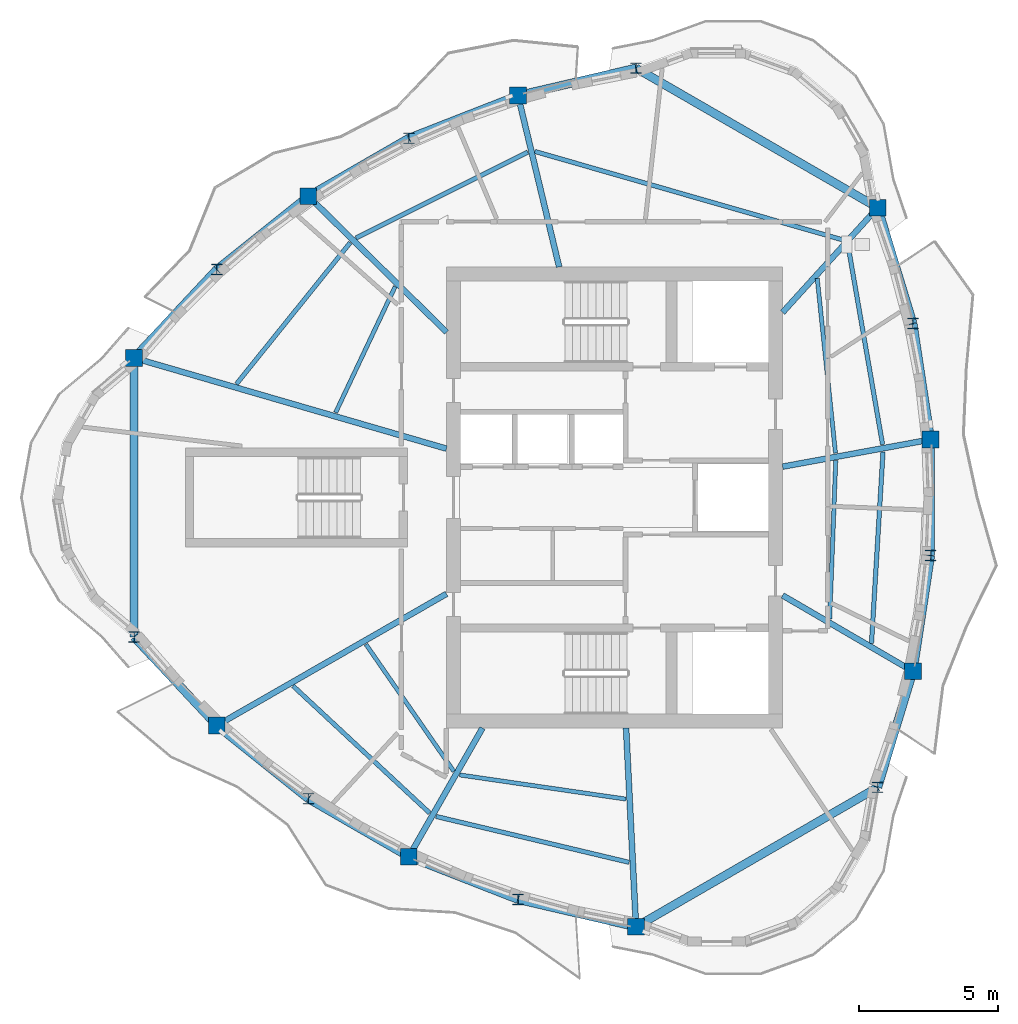
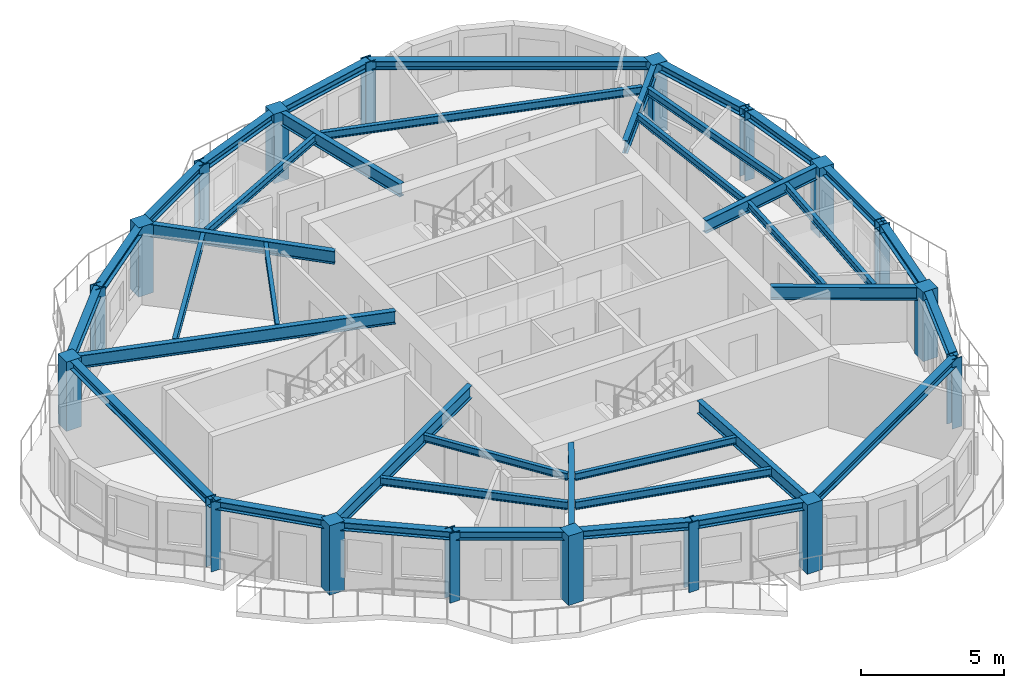
# One storey, part 1 of 12: 39 beams, 18 columns.
"""IFC4 building model written with IfcOpenShell, lengths in metres."""

from ifc_helpers import new_model, si_unit, direction, frame, origin, origin_2d, place, context, subcontext, project, spatial, rectangle, i_section, extrude, source, transform, mapped, material, material_profile, profile_set, type_object, element, save


model = new_model("IFC4")

# Units and contexts
model_context = context("Model", 3, precision=1e-05, world=origin(), true_north=direction((0.0, 1.0)))
body_context = subcontext(model_context, "Body", "Model", "MODEL_VIEW")
ifc_project = project(units=[si_unit("LENGTHUNIT", "METRE"), si_unit("AREAUNIT", "SQUARE_METRE"), si_unit("VOLUMEUNIT", "CUBIC_METRE"), si_unit("PLANEANGLEUNIT", "RADIAN"), si_unit("MASSUNIT", "GRAM", prefix="KILO")], contexts=[model_context])

# Site, building, storey
site_placement = place(None, origin())
site = spatial("IfcSite", under=ifc_project, at=site_placement, CompositionType="ELEMENT")
building_placement = place(site_placement, origin())
building = spatial("IfcBuilding", under=site, at=building_placement, Name="Qafzar Sky-Pleat Residences", CompositionType="ELEMENT")
storey_placement = place(building_placement, frame((0.0, 0.0, 224.39990234375)))
storey = spatial("IfcBuildingStorey", under=building, at=storey_placement, Name="L67", CompositionType="ELEMENT", Elevation=224.39990234375)

# Columns
ifc_material_1 = material(Name="Concrete C50/60", Category="concrete")
ifc_material_profile_1 = material_profile(ifc_material_1, rectangle(XDim=0.60009765625, YDim=0.60009765625, at=origin_2d()), Name="RC 600x600")
ifc_profile_set_1 = profile_set([ifc_material_profile_1], Name="Concrete C50/60")
column_type_1 = type_object("IfcColumnType", Name="COL-RC-600", PredefinedType="COLUMN", material=ifc_profile_set_1)
shared_shape_1 = source(origin(), body_context, "Body", "SweptSolid", [
    extrude(rectangle(XDim=0.60009765625, YDim=0.60009765625, at=origin_2d()), origin(), (0.0, 0.0, 1.0), 2.960205078125),
])
for number, where, z_axis, x_axis, name in (
    (1, (13.054931640625, 31.02294921875, 0.0), (0.0, 0.0, 1.0), (1.0, 0.0, 0.0), "L67 Perimeter Mega Column 1"),
    (2, (16.0341796875, 17.792236328125, 0.0), (0.0, 0.0, 1.0), (1.0, 0.0, 0.0), "L67 Perimeter Mega Column 3"),
    (3, (22.944091796875, 13.070556640625, 0.0), (0.0, 0.0, 1.0), (1.0, 0.0, 0.0), "L67 Perimeter Mega Column 5"),
    (4, (31.12255859375, 10.5458984375, 0.0), (0.0, 0.0, 1.0), (1.0, 0.0, 0.0), "L67 Perimeter Mega Column 7"),
    (5, (41.0908203125, 19.7412109375, 0.0), (0.0, 0.0, 1.0), (1.0, 0.0, 0.0), "L67 Perimeter Mega Column 9"),
    (6, (41.72509765625, 28.086181640625, 0.0), (0.0, 0.0, 1.0), (1.0, 0.0, 0.0), "L67 Perimeter Mega Column 11"),
    (7, (39.822509765625, 36.431396484375, 0.0), (0.0, 0.0, 1.0), (1.0, 0.0, 0.0), "L67 Perimeter Mega Column 13"),
    (8, (26.874755859375, 40.466552734375, 0.0), (0.0, 0.0, 1.0), (1.0, 0.0, 0.0), "L67 Perimeter Mega Column 15"),
    (9, (19.330810546875, 36.84326171875, 0.0), (0.0, 0.0, 1.0), (1.0, 0.0, 0.0), "L67 Perimeter Mega Column 17"),
):
    element("IfcColumn", number, at=place(storey_placement, frame(where, z_axis=z_axis, x_axis=x_axis)), inside=storey, type_object=column_type_1, Name=name, PredefinedType="COLUMN", context=body_context, shape_type="MappedRepresentation", body=[
        mapped(shared_shape_1, transform((0.0, 0.0, 0.0), x_axis=(1.0, 0.0, 0.0), y_axis=(0.0, 1.0, 0.0), z_axis=(0.0, 0.0, 1.0), scale=1.0)),
    ])
ifc_material_2 = material(Name="Steel S355", Category="steel")
ifc_material_profile_2 = material_profile(ifc_material_2, i_section(OverallWidth=0.39794921875, OverallDepth=0.386962890625, WebThickness=0.01904296875, FlangeThickness=0.030029296875, FilletRadius=0.014892578125, at=origin_2d()), Name="HD 400x262")
ifc_profile_set_2 = profile_set([ifc_material_profile_2], Name="Steel S355")
column_type_2 = type_object("IfcColumnType", Name="COL-STL-HD262", PredefinedType="PILASTER", material=ifc_profile_set_2)
shared_shape_2 = source(origin(), body_context, "Body", "SweptSolid", [
    extrude(i_section(OverallWidth=0.39794921875, OverallDepth=0.386962890625, WebThickness=0.01904296875, FlangeThickness=0.030029296875, FilletRadius=0.014892578125, at=origin_2d()), origin(), (0.0, 0.0, 1.0), 2.960205078125),
])
for number, where, z_axis, x_axis, name in (
    (10, (13.054931640625, 20.97705078125, 0.0), (0.0, 0.0, 1.0), (1.0, 0.0, 0.0), "L67 Perimeter Mega Column 2"),
    (11, (19.330810546875, 15.15673828125, 0.0), (0.0, 0.0, 1.0), (1.0, 0.0, 0.0), "L67 Perimeter Mega Column 4"),
    (12, (26.874755859375, 11.533447265625, 0.0), (0.0, 0.0, 1.0), (1.0, 0.0, 0.0), "L67 Perimeter Mega Column 6"),
    (13, (39.822509765625, 15.568603515625, 0.0), (0.0, 0.0, 1.0), (1.0, 0.0, 0.0), "L67 Perimeter Mega Column 8"),
    (14, (41.72509765625, 23.913818359375, 0.0), (0.0, 0.0, 1.0), (1.0, 0.0, 0.0), "L67 Perimeter Mega Column 10"),
    (15, (41.0908203125, 32.2587890625, 0.0), (0.0, 0.0, 1.0), (1.0, 0.0, 0.0), "L67 Perimeter Mega Column 12"),
    (16, (31.12255859375, 41.4541015625, 0.0), (0.0, 0.0, 1.0), (1.0, 0.0, 0.0), "L67 Perimeter Mega Column 14"),
    (17, (22.944091796875, 38.929443359375, 0.0), (0.0, 0.0, 1.0), (1.0, 0.0, 0.0), "L67 Perimeter Mega Column 16"),
    (18, (16.0341796875, 34.207763671875, 0.0), (0.0, 0.0, 1.0), (1.0, 0.0, 0.0), "L67 Perimeter Mega Column 18"),
):
    element("IfcColumn", number, at=place(storey_placement, frame(where, z_axis=z_axis, x_axis=x_axis)), inside=storey, type_object=column_type_2, Name=name, PredefinedType="PILASTER", context=body_context, shape_type="MappedRepresentation", body=[
        mapped(shared_shape_2, transform((0.0, 0.0, 0.0), x_axis=(1.0, 0.0, 0.0), y_axis=(0.0, 1.0, 0.0), z_axis=(0.0, 0.0, 1.0), scale=1.0)),
    ])

# Beams
ifc_material_profile_3 = material_profile(ifc_material_2, i_section(OverallWidth=0.300048828125, OverallDepth=0.360107421875, WebThickness=0.012451171875, FlangeThickness=0.0224609375, FilletRadius=0.027099609375, at=origin_2d()), Name="HEB 360")
ifc_profile_set_3 = profile_set([ifc_material_profile_3], Name="Steel S355")
beam_type_1 = type_object("IfcBeamType", Name="BM-SPAN-HEB360", PredefinedType="SPANDREL", material=ifc_profile_set_3)
shared_shape_3 = source(origin(), body_context, "Body", "SweptSolid", [
    extrude(i_section(OverallWidth=0.300048828125, OverallDepth=0.360107421875, WebThickness=0.012451171875, FlangeThickness=0.0224609375, FilletRadius=0.027099609375, at=origin_2d()), origin(), (0.0, 0.0, 1.0), 10.0458984375),
])
beam_1_placement = place(storey_placement, frame((13.054931640625, 31.02294921875, 2.778076171875), z_axis=(0.0, -1.0, 0.0), x_axis=(1.0, 0.0, 0.0)))
element("IfcBeam", 19, at=beam_1_placement, inside=storey, type_object=beam_type_1, Name="L67 Perimeter Spandrel Beam 1", PredefinedType="SPANDREL", context=body_context, shape_type="MappedRepresentation", body=[
    mapped(shared_shape_3, transform((0.0, 0.0, 0.0), x_axis=(1.0, 0.0, 0.0), y_axis=(0.0, 1.0, 0.0), z_axis=(0.0, 0.0, 1.0), scale=1.0)),
])
shared_shape_4 = source(origin(), body_context, "Body", "SweptSolid", [
    extrude(i_section(OverallWidth=0.300048828125, OverallDepth=0.360107421875, WebThickness=0.012451171875, FlangeThickness=0.0224609375, FilletRadius=0.027099609375, at=origin_2d()), origin(), (0.0, 0.0, 1.0), 4.361083984375),
])
for number, where, z_axis, x_axis, name in (
    (20, (13.054931640625, 20.97705078125, 2.778076171875), (0.683145571965, -0.730282224558, 0.0), (0.730282224558, 0.683145571965, 0.0), "L67 Perimeter Spandrel Beam 2"),
    (21, (26.874755859375, 11.533447265625, 2.778076171875), (0.974023822453, -0.226445563643, 0.0), (0.226445563643, 0.974023822453, 0.0), "L67 Perimeter Spandrel Beam 6"),
    (22, (39.822509765625, 15.568603515625, 2.778076171875), (0.290822997681, 0.956776872641, 0.0), (-0.956776872641, 0.290822997681, 0.0), "L67 Perimeter Spandrel Beam 8"),
    (23, (41.0908203125, 32.2587890625, 2.778076171875), (-0.290822997681, 0.956776872641, 0.0), (-0.956776872641, -0.290822997681, 0.0), "L67 Perimeter Spandrel Beam 12"),
    (24, (31.12255859375, 41.4541015625, 2.778076171875), (-0.974023822453, -0.226445563643, 0.0), (0.226445563643, -0.974023822453, 0.0), "L67 Perimeter Spandrel Beam 14"),
    (25, (16.0341796875, 34.207763671875, 2.778076171875), (-0.683145571965, -0.730282224558, 0.0), (0.730282224558, -0.683145571965, 0.0), "L67 Perimeter Spandrel Beam 18"),
):
    element("IfcBeam", number, at=place(storey_placement, frame(where, z_axis=z_axis, x_axis=x_axis)), inside=storey, type_object=beam_type_1, Name=name, PredefinedType="SPANDREL", context=body_context, shape_type="MappedRepresentation", body=[
        mapped(shared_shape_4, transform((0.0, 0.0, 0.0), x_axis=(1.0, 0.0, 0.0), y_axis=(0.0, 1.0, 0.0), z_axis=(0.0, 0.0, 1.0), scale=1.0)),
    ])
shared_shape_5 = source(origin(), body_context, "Body", "SweptSolid", [
    extrude(i_section(OverallWidth=0.300048828125, OverallDepth=0.360107421875, WebThickness=0.012451171875, FlangeThickness=0.0224609375, FilletRadius=0.027099609375, at=origin_2d()), origin(), (0.0, 0.0, 1.0), 4.220703125),
])
for number, where, z_axis, x_axis, name in (
    (26, (16.0341796875, 17.792236328125, 2.778076171875), (0.781077571238, -0.624434005888, 0.0), (0.624434005888, 0.781077571238, 0.0), "L67 Perimeter Spandrel Beam 3"),
    (27, (19.330810546875, 36.84326171875, 2.778076171875), (-0.781077571238, -0.624434005888, 0.0), (0.624434005888, -0.781077571238, 0.0), "L67 Perimeter Spandrel Beam 17"),
):
    element("IfcBeam", number, at=place(storey_placement, frame(where, z_axis=z_axis, x_axis=x_axis)), inside=storey, type_object=beam_type_1, Name=name, PredefinedType="SPANDREL", context=body_context, shape_type="MappedRepresentation", body=[
        mapped(shared_shape_5, transform((0.0, 0.0, 0.0), x_axis=(1.0, 0.0, 0.0), y_axis=(0.0, 1.0, 0.0), z_axis=(0.0, 0.0, 1.0), scale=1.0)),
    ])
shared_shape_6 = source(origin(), body_context, "Body", "SweptSolid", [
    extrude(i_section(OverallWidth=0.300048828125, OverallDepth=0.360107421875, WebThickness=0.012451171875, FlangeThickness=0.0224609375, FilletRadius=0.027099609375, at=origin_2d()), origin(), (0.0, 0.0, 1.0), 4.17236328125),
])
for number, where, z_axis, x_axis, name in (
    (28, (19.330810546875, 15.15673828125, 2.778076171875), (0.866019930389, -0.500009480079, 0.0), (0.500009480079, 0.866019930389, 0.0), "L67 Perimeter Spandrel Beam 4"),
    (29, (41.72509765625, 23.913818359375, 2.778076171875), (0.0, 1.0, 0.0), (-1.0, 0.0, 0.0), "L67 Perimeter Spandrel Beam 10"),
    (30, (22.944091796875, 38.929443359375, 2.778076171875), (-0.866019930389, -0.500009480079, 0.0), (0.500009480079, -0.866019930389, 0.0), "L67 Perimeter Spandrel Beam 16"),
):
    element("IfcBeam", number, at=place(storey_placement, frame(where, z_axis=z_axis, x_axis=x_axis)), inside=storey, type_object=beam_type_1, Name=name, PredefinedType="SPANDREL", context=body_context, shape_type="MappedRepresentation", body=[
        mapped(shared_shape_6, transform((0.0, 0.0, 0.0), x_axis=(1.0, 0.0, 0.0), y_axis=(0.0, 1.0, 0.0), z_axis=(0.0, 0.0, 1.0), scale=1.0)),
    ])
shared_shape_7 = source(origin(), body_context, "Body", "SweptSolid", [
    extrude(i_section(OverallWidth=0.300048828125, OverallDepth=0.360107421875, WebThickness=0.012451171875, FlangeThickness=0.0224609375, FilletRadius=0.027099609375, at=origin_2d()), origin(), (0.0, 0.0, 1.0), 4.220458984375),
])
for number, where, z_axis, x_axis, name in (
    (31, (22.944091796875, 13.070556640625, 2.778076171875), (0.931321276977, -0.364198680736, 0.0), (0.364198680736, 0.931321276977, 0.0), "L67 Perimeter Spandrel Beam 5"),
    (32, (41.0908203125, 19.7412109375, 2.778076171875), (0.150283446733, 0.988642951544, 0.0), (-0.988642951544, 0.150283446733, 0.0), "L67 Perimeter Spandrel Beam 9"),
    (33, (41.72509765625, 28.086181640625, 2.778076171875), (-0.150283446733, 0.988642951544, 0.0), (-0.988642951544, -0.150283446733, 0.0), "L67 Perimeter Spandrel Beam 11"),
    (34, (26.874755859375, 40.466552734375, 2.778076171875), (-0.931321276977, -0.364198680736, 0.0), (0.364198680736, -0.931321276977, 0.0), "L67 Perimeter Spandrel Beam 15"),
):
    element("IfcBeam", number, at=place(storey_placement, frame(where, z_axis=z_axis, x_axis=x_axis)), inside=storey, type_object=beam_type_1, Name=name, PredefinedType="SPANDREL", context=body_context, shape_type="MappedRepresentation", body=[
        mapped(shared_shape_7, transform((0.0, 0.0, 0.0), x_axis=(1.0, 0.0, 0.0), y_axis=(0.0, 1.0, 0.0), z_axis=(0.0, 0.0, 1.0), scale=1.0)),
    ])
shared_shape_8 = source(origin(), body_context, "Body", "SweptSolid", [
    extrude(i_section(OverallWidth=0.300048828125, OverallDepth=0.360107421875, WebThickness=0.012451171875, FlangeThickness=0.0224609375, FilletRadius=0.027099609375, at=origin_2d()), origin(), (0.0, 0.0, 1.0), 10.045654296875),
])
for number, where, z_axis, x_axis, name in (
    (35, (31.12255859375, 10.5458984375, 2.778076171875), (0.866034631067, 0.499984017537, 0.0), (-0.499984017537, 0.866034631067, 0.0), "L67 Perimeter Spandrel Beam 7"),
    (36, (39.822509765625, 36.431396484375, 2.778076171875), (-0.866034631067, 0.499984017537, 0.0), (-0.499984017537, -0.866034631067, 0.0), "L67 Perimeter Spandrel Beam 13"),
):
    element("IfcBeam", number, at=place(storey_placement, frame(where, z_axis=z_axis, x_axis=x_axis)), inside=storey, type_object=beam_type_1, Name=name, PredefinedType="SPANDREL", context=body_context, shape_type="MappedRepresentation", body=[
        mapped(shared_shape_8, transform((0.0, 0.0, 0.0), x_axis=(1.0, 0.0, 0.0), y_axis=(0.0, 1.0, 0.0), z_axis=(0.0, 0.0, 1.0), scale=1.0)),
    ])
ifc_material_profile_4 = material_profile(ifc_material_2, i_section(OverallWidth=0.2099609375, OverallDepth=0.550048828125, WebThickness=0.010986328125, FlangeThickness=0.01708984375, FilletRadius=0.02392578125, at=origin_2d()), Name="IPE 550")
ifc_profile_set_4 = profile_set([ifc_material_profile_4], Name="Steel S355")
beam_type_2 = type_object("IfcBeamType", Name="BM-SEC-IPE550", PredefinedType="BEAM", material=ifc_profile_set_4)
shared_shape_9 = source(origin(), body_context, "Body", "SweptSolid", [
    extrude(i_section(OverallWidth=0.2099609375, OverallDepth=0.550048828125, WebThickness=0.010986328125, FlangeThickness=0.01708984375, FilletRadius=0.02392578125, at=origin_2d()), origin(), (0.0, 0.0, 1.0), 11.709716796875),
])
beam_2_placement = place(storey_placement, frame((13.054931640625, 31.02294921875, 2.68310546875), z_axis=(0.96031975059, -0.278901374373, 0.0), x_axis=(0.278901374373, 0.96031975059, 0.0)))
element("IfcBeam", 37, at=beam_2_placement, inside=storey, type_object=beam_type_2, Name="L67 Radial Floor Girder 1", PredefinedType="BEAM", context=body_context, shape_type="MappedRepresentation", body=[
    mapped(shared_shape_9, transform((0.0, 0.0, 0.0), x_axis=(1.0, 0.0, 0.0), y_axis=(0.0, 1.0, 0.0), z_axis=(0.0, 0.0, 1.0), scale=1.0)),
])
shared_shape_10 = source(origin(), body_context, "Body", "SweptSolid", [
    extrude(i_section(OverallWidth=0.2099609375, OverallDepth=0.550048828125, WebThickness=0.010986328125, FlangeThickness=0.01708984375, FilletRadius=0.02392578125, at=origin_2d()), origin(), (0.0, 0.0, 1.0), 9.528076171875),
])
beam_3_placement = place(storey_placement, frame((16.0341796875, 17.792236328125, 2.68310546875), z_axis=(0.86753426155, 0.497377427148, 0.0), x_axis=(-0.497377427148, 0.86753426155, 0.0)))
element("IfcBeam", 38, at=beam_3_placement, inside=storey, type_object=beam_type_2, Name="L67 Radial Floor Girder 3", PredefinedType="BEAM", context=body_context, shape_type="MappedRepresentation", body=[
    mapped(shared_shape_10, transform((0.0, 0.0, 0.0), x_axis=(1.0, 0.0, 0.0), y_axis=(0.0, 1.0, 0.0), z_axis=(0.0, 0.0, 1.0), scale=1.0)),
])
shared_shape_11 = source(origin(), body_context, "Body", "SweptSolid", [
    extrude(i_section(OverallWidth=0.2099609375, OverallDepth=0.550048828125, WebThickness=0.010986328125, FlangeThickness=0.01708984375, FilletRadius=0.02392578125, at=origin_2d()), origin(), (0.0, 0.0, 1.0), 5.335205078125),
])
beam_4_placement = place(storey_placement, frame((22.944091796875, 13.070556640625, 2.68310546875), z_axis=(0.497055288621, 0.867718871556, 0.0), x_axis=(-0.867718871556, 0.497055288621, 0.0)))
element("IfcBeam", 39, at=beam_4_placement, inside=storey, type_object=beam_type_2, Name="L67 Radial Floor Girder 5", PredefinedType="BEAM", context=body_context, shape_type="MappedRepresentation", body=[
    mapped(shared_shape_11, transform((0.0, 0.0, 0.0), x_axis=(1.0, 0.0, 0.0), y_axis=(0.0, 1.0, 0.0), z_axis=(0.0, 0.0, 1.0), scale=1.0)),
])
shared_shape_12 = source(origin(), body_context, "Body", "SweptSolid", [
    extrude(i_section(OverallWidth=0.2099609375, OverallDepth=0.550048828125, WebThickness=0.010986328125, FlangeThickness=0.01708984375, FilletRadius=0.02392578125, at=origin_2d()), origin(), (0.0, 0.0, 1.0), 7.1630859375),
])
beam_5_placement = place(storey_placement, frame((31.12255859375, 10.5458984375, 2.68310546875), z_axis=(-0.049932517148, 0.998752593855, 0.0), x_axis=(-0.998752593855, -0.049932517148, 0.0)))
element("IfcBeam", 40, at=beam_5_placement, inside=storey, type_object=beam_type_2, Name="L67 Radial Floor Girder 7", PredefinedType="BEAM", context=body_context, shape_type="MappedRepresentation", body=[
    mapped(shared_shape_12, transform((0.0, 0.0, 0.0), x_axis=(1.0, 0.0, 0.0), y_axis=(0.0, 1.0, 0.0), z_axis=(0.0, 0.0, 1.0), scale=1.0)),
])
shared_shape_13 = source(origin(), body_context, "Body", "SweptSolid", [
    extrude(i_section(OverallWidth=0.2099609375, OverallDepth=0.550048828125, WebThickness=0.010986328125, FlangeThickness=0.01708984375, FilletRadius=0.02392578125, at=origin_2d()), origin(), (0.0, 0.0, 1.0), 5.42919921875),
])
beam_6_placement = place(storey_placement, frame((41.0908203125, 19.7412109375, 2.68310546875), z_axis=(-0.864016925636, 0.503462761498, 0.0), x_axis=(-0.503462761498, -0.864016925636, 0.0)))
element("IfcBeam", 41, at=beam_6_placement, inside=storey, type_object=beam_type_2, Name="L67 Radial Floor Girder 9", PredefinedType="BEAM", context=body_context, shape_type="MappedRepresentation", body=[
    mapped(shared_shape_13, transform((0.0, 0.0, 0.0), x_axis=(1.0, 0.0, 0.0), y_axis=(0.0, 1.0, 0.0), z_axis=(0.0, 0.0, 1.0), scale=1.0)),
])
shared_shape_14 = source(origin(), body_context, "Body", "SweptSolid", [
    extrude(i_section(OverallWidth=0.2099609375, OverallDepth=0.550048828125, WebThickness=0.010986328125, FlangeThickness=0.01708984375, FilletRadius=0.02392578125, at=origin_2d()), origin(), (0.0, 0.0, 1.0), 5.4140625),
])
beam_7_placement = place(storey_placement, frame((41.72509765625, 28.086181640625, 2.68310546875), z_axis=(-0.983597491217, -0.180377313629, 0.0), x_axis=(0.180377313629, -0.983597491217, 0.0)))
element("IfcBeam", 42, at=beam_7_placement, inside=storey, type_object=beam_type_2, Name="L67 Radial Floor Girder 11", PredefinedType="BEAM", context=body_context, shape_type="MappedRepresentation", body=[
    mapped(shared_shape_14, transform((0.0, 0.0, 0.0), x_axis=(1.0, 0.0, 0.0), y_axis=(0.0, 1.0, 0.0), z_axis=(0.0, 0.0, 1.0), scale=1.0)),
])
shared_shape_15 = source(origin(), body_context, "Body", "SweptSolid", [
    extrude(i_section(OverallWidth=0.2099609375, OverallDepth=0.550048828125, WebThickness=0.010986328125, FlangeThickness=0.01708984375, FilletRadius=0.02392578125, at=origin_2d()), origin(), (0.0, 0.0, 1.0), 5.091064453125),
])
beam_8_placement = place(storey_placement, frame((39.822509765625, 36.431396484375, 2.68310546875), z_axis=(-0.672264541765, -0.740311006189, 0.0), x_axis=(0.740311006189, -0.672264541765, 0.0)))
element("IfcBeam", 43, at=beam_8_placement, inside=storey, type_object=beam_type_2, Name="L67 Radial Floor Girder 13", PredefinedType="BEAM", context=body_context, shape_type="MappedRepresentation", body=[
    mapped(shared_shape_15, transform((0.0, 0.0, 0.0), x_axis=(1.0, 0.0, 0.0), y_axis=(0.0, 1.0, 0.0), z_axis=(0.0, 0.0, 1.0), scale=1.0)),
])
shared_shape_16 = source(origin(), body_context, "Body", "SweptSolid", [
    extrude(i_section(OverallWidth=0.2099609375, OverallDepth=0.550048828125, WebThickness=0.010986328125, FlangeThickness=0.01708984375, FilletRadius=0.02392578125, at=origin_2d()), origin(), (0.0, 0.0, 1.0), 6.342041015625),
])
beam_9_placement = place(storey_placement, frame((26.874755859375, 40.466552734375, 2.68310546875), z_axis=(0.233594255251, -0.972334162679, 0.0), x_axis=(0.972334162679, 0.233594255251, 0.0)))
element("IfcBeam", 44, at=beam_9_placement, inside=storey, type_object=beam_type_2, Name="L67 Radial Floor Girder 15", PredefinedType="BEAM", context=body_context, shape_type="MappedRepresentation", body=[
    mapped(shared_shape_16, transform((0.0, 0.0, 0.0), x_axis=(1.0, 0.0, 0.0), y_axis=(0.0, 1.0, 0.0), z_axis=(0.0, 0.0, 1.0), scale=1.0)),
])
shared_shape_17 = source(origin(), body_context, "Body", "SweptSolid", [
    extrude(i_section(OverallWidth=0.2099609375, OverallDepth=0.550048828125, WebThickness=0.010986328125, FlangeThickness=0.01708984375, FilletRadius=0.02392578125, at=origin_2d()), origin(), (0.0, 0.0, 1.0), 6.9716796875),
])
beam_10_placement = place(storey_placement, frame((19.330810546875, 36.84326171875, 2.68310546875), z_axis=(0.712774452221, -0.701393313527, 0.0), x_axis=(0.701393313527, 0.712774452221, 0.0)))
element("IfcBeam", 45, at=beam_10_placement, inside=storey, type_object=beam_type_2, Name="L67 Radial Floor Girder 17", PredefinedType="BEAM", context=body_context, shape_type="MappedRepresentation", body=[
    mapped(shared_shape_17, transform((0.0, 0.0, 0.0), x_axis=(1.0, 0.0, 0.0), y_axis=(0.0, 1.0, 0.0), z_axis=(0.0, 0.0, 1.0), scale=1.0)),
])
ifc_material_profile_5 = material_profile(ifc_material_2, i_section(OverallWidth=0.159912109375, OverallDepth=0.330078125, WebThickness=0.007568359375, FlangeThickness=0.011474609375, FilletRadius=0.01806640625, at=origin_2d()), Name="IPE 330")
ifc_profile_set_5 = profile_set([ifc_material_profile_5], Name="Steel S355")
beam_type_3 = type_object("IfcBeamType", Name="BM-JST-IPE330", PredefinedType="JOIST", material=ifc_profile_set_5)
shared_shape_18 = source(origin(), body_context, "Body", "SweptSolid", [
    extrude(i_section(OverallWidth=0.159912109375, OverallDepth=0.330078125, WebThickness=0.007568359375, FlangeThickness=0.011474609375, FilletRadius=0.01806640625, at=origin_2d()), origin(), (0.0, 0.0, 1.0), 6.7138671875),
])
beam_11_placement = place(storey_placement, frame((18.7783203125, 19.216796875, 2.793212890625), z_axis=(0.732155950712, -0.681137037488, 0.0), x_axis=(0.681137037488, 0.732155950712, 0.0)))
element("IfcBeam", 46, at=beam_11_placement, inside=storey, type_object=beam_type_3, Name="L67 Outer Secondary Floor Joist 2", PredefinedType="JOIST", context=body_context, shape_type="MappedRepresentation", body=[
    mapped(shared_shape_18, transform((0.0, 0.0, 0.0), x_axis=(1.0, 0.0, 0.0), y_axis=(0.0, 1.0, 0.0), z_axis=(0.0, 0.0, 1.0), scale=1.0)),
])
shared_shape_19 = source(origin(), body_context, "Body", "SweptSolid", [
    extrude(i_section(OverallWidth=0.159912109375, OverallDepth=0.330078125, WebThickness=0.007568359375, FlangeThickness=0.011474609375, FilletRadius=0.01806640625, at=origin_2d()), origin(), (0.0, 0.0, 1.0), 7.146728515625),
])
beam_12_placement = place(storey_placement, frame((23.924072265625, 14.520751953125, 2.793212890625), z_axis=(0.972840658281, -0.231475816438, 0.0), x_axis=(0.231475816438, 0.972840658281, 0.0)))
element("IfcBeam", 47, at=beam_12_placement, inside=storey, type_object=beam_type_3, Name="L67 Outer Secondary Floor Joist 3", PredefinedType="JOIST", context=body_context, shape_type="MappedRepresentation", body=[
    mapped(shared_shape_19, transform((0.0, 0.0, 0.0), x_axis=(1.0, 0.0, 0.0), y_axis=(0.0, 1.0, 0.0), z_axis=(0.0, 0.0, 1.0), scale=1.0)),
])
shared_shape_20 = source(origin(), body_context, "Body", "SweptSolid", [
    extrude(i_section(OverallWidth=0.159912109375, OverallDepth=0.330078125, WebThickness=0.007568359375, FlangeThickness=0.011474609375, FilletRadius=0.01806640625, at=origin_2d()), origin(), (0.0, 0.0, 1.0), 6.90087890625),
])
beam_13_placement = place(storey_placement, frame((39.597900390625, 20.75048828125, 2.793212890625), z_axis=(0.060142571509, 0.998189797129, 0.0), x_axis=(-0.998189797129, 0.060142571509, 0.0)))
element("IfcBeam", 48, at=beam_13_placement, inside=storey, type_object=beam_type_3, Name="L67 Outer Secondary Floor Joist 5", PredefinedType="JOIST", context=body_context, shape_type="MappedRepresentation", body=[
    mapped(shared_shape_20, transform((0.0, 0.0, 0.0), x_axis=(1.0, 0.0, 0.0), y_axis=(0.0, 1.0, 0.0), z_axis=(0.0, 0.0, 1.0), scale=1.0)),
])
shared_shape_21 = source(origin(), body_context, "Body", "SweptSolid", [
    extrude(i_section(OverallWidth=0.159912109375, OverallDepth=0.330078125, WebThickness=0.007568359375, FlangeThickness=0.011474609375, FilletRadius=0.01806640625, at=origin_2d()), origin(), (0.0, 0.0, 1.0), 7.29296875),
])
beam_14_placement = place(storey_placement, frame((39.998046875, 27.90673828125, 2.793212890625), z_axis=(-0.171061445114, 0.985260362542, 0.0), x_axis=(-0.985260362542, -0.171061445114, 0.0)))
element("IfcBeam", 49, at=beam_14_placement, inside=storey, type_object=beam_type_3, Name="L67 Outer Secondary Floor Joist 6", PredefinedType="JOIST", context=body_context, shape_type="MappedRepresentation", body=[
    mapped(shared_shape_21, transform((0.0, 0.0, 0.0), x_axis=(1.0, 0.0, 0.0), y_axis=(0.0, 1.0, 0.0), z_axis=(0.0, 0.0, 1.0), scale=1.0)),
])
shared_shape_22 = source(origin(), body_context, "Body", "SweptSolid", [
    extrude(i_section(OverallWidth=0.159912109375, OverallDepth=0.330078125, WebThickness=0.007568359375, FlangeThickness=0.011474609375, FilletRadius=0.01806640625, at=origin_2d()), origin(), (0.0, 0.0, 1.0), 11.568359375),
])
beam_15_placement = place(storey_placement, frame((38.597412109375, 35.262451171875, 2.793212890625), z_axis=(-0.961139955234, 0.276061562796, 0.0), x_axis=(-0.276061562796, -0.961139955234, 0.0)))
element("IfcBeam", 50, at=beam_15_placement, inside=storey, type_object=beam_type_3, Name="L67 Outer Secondary Floor Joist 7", PredefinedType="JOIST", context=body_context, shape_type="MappedRepresentation", body=[
    mapped(shared_shape_22, transform((0.0, 0.0, 0.0), x_axis=(1.0, 0.0, 0.0), y_axis=(0.0, 1.0, 0.0), z_axis=(0.0, 0.0, 1.0), scale=1.0)),
])
shared_shape_23 = source(origin(), body_context, "Body", "SweptSolid", [
    extrude(i_section(OverallWidth=0.159912109375, OverallDepth=0.330078125, WebThickness=0.007568359375, FlangeThickness=0.011474609375, FilletRadius=0.01806640625, at=origin_2d()), origin(), (0.0, 0.0, 1.0), 6.9169921875),
])
beam_16_placement = place(storey_placement, frame((27.22802734375, 38.432861328125, 2.793212890625), z_axis=(-0.894384832537, -0.447298302397, 0.0), x_axis=(0.447298302397, -0.894384832537, 0.0)))
element("IfcBeam", 51, at=beam_16_placement, inside=storey, type_object=beam_type_3, Name="L67 Outer Secondary Floor Joist 8", PredefinedType="JOIST", context=body_context, shape_type="MappedRepresentation", body=[
    mapped(shared_shape_23, transform((0.0, 0.0, 0.0), x_axis=(1.0, 0.0, 0.0), y_axis=(0.0, 1.0, 0.0), z_axis=(0.0, 0.0, 1.0), scale=1.0)),
])
shared_shape_24 = source(origin(), body_context, "Body", "SweptSolid", [
    extrude(i_section(OverallWidth=0.159912109375, OverallDepth=0.330078125, WebThickness=0.007568359375, FlangeThickness=0.011474609375, FilletRadius=0.01806640625, at=origin_2d()), origin(), (0.0, 0.0, 1.0), 6.534912109375),
])
beam_17_placement = place(storey_placement, frame((20.836181640625, 35.17333984375, 2.793212890625), z_axis=(-0.627106722311, -0.778933346848, 0.0), x_axis=(0.778933346848, -0.627106722311, 0.0)))
element("IfcBeam", 52, at=beam_17_placement, inside=storey, type_object=beam_type_3, Name="L67 Outer Secondary Floor Joist 9", PredefinedType="JOIST", context=body_context, shape_type="MappedRepresentation", body=[
    mapped(shared_shape_24, transform((0.0, 0.0, 0.0), x_axis=(1.0, 0.0, 0.0), y_axis=(0.0, 1.0, 0.0), z_axis=(0.0, 0.0, 1.0), scale=1.0)),
])
ifc_material_profile_6 = material_profile(ifc_material_2, i_section(OverallWidth=0.14990234375, OverallDepth=0.300048828125, WebThickness=0.007080078125, FlangeThickness=0.0107421875, FilletRadius=0.014892578125, at=origin_2d()), Name="IPE 300")
ifc_profile_set_6 = profile_set([ifc_material_profile_6], Name="Steel S355")
beam_type_4 = type_object("IfcBeamType", Name="BM-JST-IPE300", PredefinedType="JOIST", material=ifc_profile_set_6)
shared_shape_25 = source(origin(), body_context, "Body", "SweptSolid", [
    extrude(i_section(OverallWidth=0.14990234375, OverallDepth=0.300048828125, WebThickness=0.007080078125, FlangeThickness=0.0107421875, FilletRadius=0.014892578125, at=origin_2d()), origin(), (0.0, 0.0, 1.0), 5.55810546875),
])
beam_18_placement = place(storey_placement, frame((21.401123046875, 20.71435546875, 2.80810546875), z_axis=(0.569141453224, -0.822239628224, 0.0), x_axis=(0.822239628224, 0.569141453224, 0.0)))
element("IfcBeam", 53, at=beam_18_placement, inside=storey, type_object=beam_type_4, Name="L67 Inner Secondary Floor Joist 2", PredefinedType="JOIST", context=body_context, shape_type="MappedRepresentation", body=[
    mapped(shared_shape_25, transform((0.0, 0.0, 0.0), x_axis=(1.0, 0.0, 0.0), y_axis=(0.0, 1.0, 0.0), z_axis=(0.0, 0.0, 1.0), scale=1.0)),
])
shared_shape_26 = source(origin(), body_context, "Body", "SweptSolid", [
    extrude(i_section(OverallWidth=0.14990234375, OverallDepth=0.300048828125, WebThickness=0.007080078125, FlangeThickness=0.0107421875, FilletRadius=0.014892578125, at=origin_2d()), origin(), (0.0, 0.0, 1.0), 6.048095703125),
])
beam_19_placement = place(storey_placement, frame((24.77490234375, 16.013916015625, 2.80810546875), z_axis=(0.98959689106, -0.143867971435, 0.0), x_axis=(0.143867971435, 0.98959689106, 0.0)))
element("IfcBeam", 54, at=beam_19_placement, inside=storey, type_object=beam_type_4, Name="L67 Inner Secondary Floor Joist 3", PredefinedType="JOIST", context=body_context, shape_type="MappedRepresentation", body=[
    mapped(shared_shape_26, transform((0.0, 0.0, 0.0), x_axis=(1.0, 0.0, 0.0), y_axis=(0.0, 1.0, 0.0), z_axis=(0.0, 0.0, 1.0), scale=1.0)),
])
shared_shape_27 = source(origin(), body_context, "Body", "SweptSolid", [
    extrude(i_section(OverallWidth=0.14990234375, OverallDepth=0.300048828125, WebThickness=0.007080078125, FlangeThickness=0.0107421875, FilletRadius=0.014892578125, at=origin_2d()), origin(), (0.0, 0.0, 1.0), 5.705078125),
])
beam_20_placement = place(storey_placement, frame((38.093994140625, 21.62548828125, 2.80810546875), z_axis=(0.038214539636, 0.999269557707, 0.0), x_axis=(-0.999269557707, 0.038214539636, 0.0)))
element("IfcBeam", 55, at=beam_20_placement, inside=storey, type_object=beam_type_4, Name="L67 Inner Secondary Floor Joist 5", PredefinedType="JOIST", context=body_context, shape_type="MappedRepresentation", body=[
    mapped(shared_shape_27, transform((0.0, 0.0, 0.0), x_axis=(1.0, 0.0, 0.0), y_axis=(0.0, 1.0, 0.0), z_axis=(0.0, 0.0, 1.0), scale=1.0)),
])
shared_shape_28 = source(origin(), body_context, "Body", "SweptSolid", [
    extrude(i_section(OverallWidth=0.14990234375, OverallDepth=0.300048828125, WebThickness=0.007080078125, FlangeThickness=0.0107421875, FilletRadius=0.014892578125, at=origin_2d()), origin(), (0.0, 0.0, 1.0), 6.32373046875),
])
beam_21_placement = place(storey_placement, frame((38.302978515625, 27.595458984375, 2.80810546875), z_axis=(-0.103890931647, 0.994588696056, 0.0), x_axis=(-0.994588696056, -0.103890931647, 0.0)))
element("IfcBeam", 56, at=beam_21_placement, inside=storey, type_object=beam_type_4, Name="L67 Inner Secondary Floor Joist 6", PredefinedType="JOIST", context=body_context, shape_type="MappedRepresentation", body=[
    mapped(shared_shape_28, transform((0.0, 0.0, 0.0), x_axis=(1.0, 0.0, 0.0), y_axis=(0.0, 1.0, 0.0), z_axis=(0.0, 0.0, 1.0), scale=1.0)),
])
shared_shape_29 = source(origin(), body_context, "Body", "SweptSolid", [
    extrude(i_section(OverallWidth=0.14990234375, OverallDepth=0.300048828125, WebThickness=0.007080078125, FlangeThickness=0.0107421875, FilletRadius=0.014892578125, at=origin_2d()), origin(), (0.0, 0.0, 1.0), 5.017822265625),
])
beam_22_placement = place(storey_placement, frame((22.453369140625, 33.591552734375, 2.80810546875), z_axis=(-0.42723283349, -0.904141640446, 0.0), x_axis=(0.904141640446, -0.42723283349, 0.0)))
element("IfcBeam", 57, at=beam_22_placement, inside=storey, type_object=beam_type_4, Name="L67 Inner Secondary Floor Joist 9", PredefinedType="JOIST", context=body_context, shape_type="MappedRepresentation", body=[
    mapped(shared_shape_29, transform((0.0, 0.0, 0.0), x_axis=(1.0, 0.0, 0.0), y_axis=(0.0, 1.0, 0.0), z_axis=(0.0, 0.0, 1.0), scale=1.0)),
])

save(model, "model.ifc")
